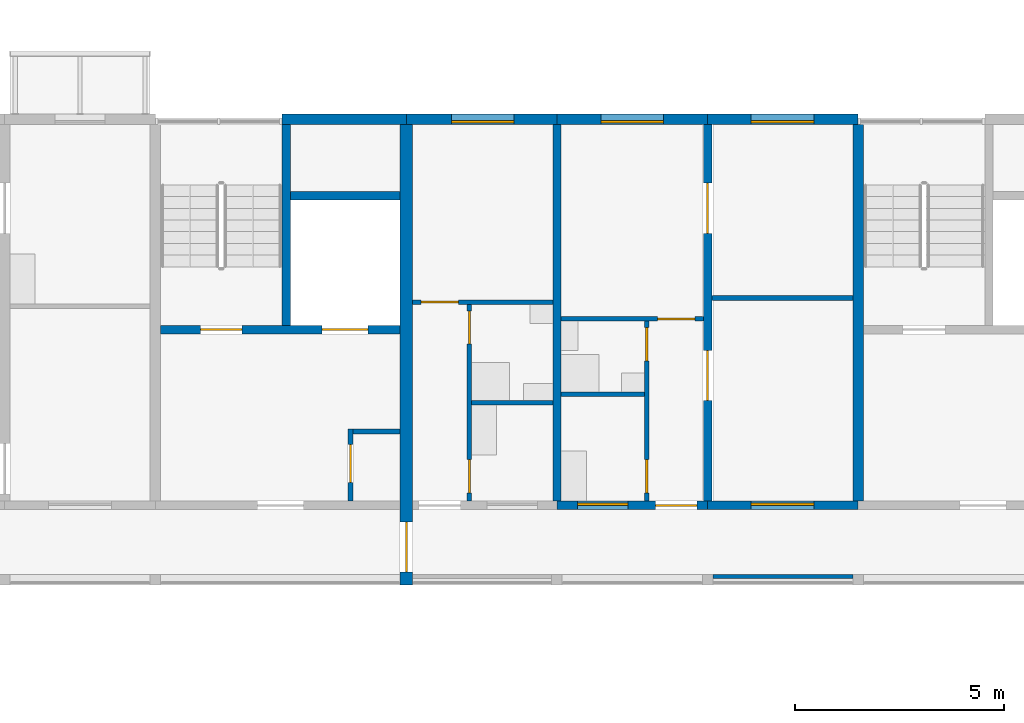
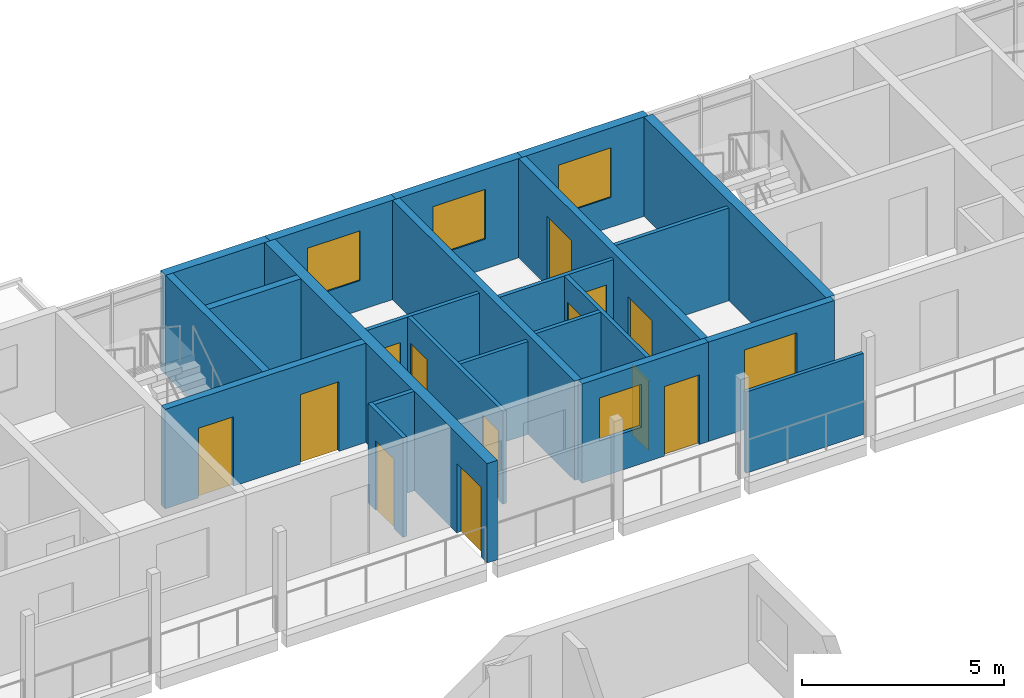
# One storey, part 76 of 122: 23 walls, 13 doors, 5 windows, 18 openings.
"""IFC4 building model written with IfcOpenShell, lengths in metres."""

import ifcopenshell
import ifcopenshell.guid

model = None  # the IFC model being written
_history = None  # IfcOwnerHistory: only IFC2X3 demands one
_inside = {}  # id of a spatial element -> (the spatial element, [elements in it])
_under = {}  # id of a project, library or spatial element -> (it, [spatial elements below it])
_declared = {}  # id of a project -> (the project, [libraries it declares])
_typed = {}  # id of a type object -> (the type object, [elements of that type])
_made_of = {}  # id of a material, layer set ... -> (it, [elements and type objects made of it])


def new_model(schema):
    """Start an empty IFC model of exactly this schema.

    Asked for "IFC4X3", IfcOpenShell would pick the latest addendum, in which some entities
    have other attributes; the version numbers below select the first issue.
    IFC2X3 requires an IfcOwnerHistory on every rooted entity: one is made here for all.
    """
    global model, _history
    if schema == "IFC4X3":
        model = ifcopenshell.file(schema_version=(4, 3, 0, 0))
    else:
        model = ifcopenshell.file(schema=schema)
    _inside.clear()
    _under.clear()
    _declared.clear()
    _typed.clear()
    _made_of.clear()
    _history = None
    if model.schema == "IFC2X3":
        org = make("IfcOrganization", Name="unknown")
        user = make(
            "IfcPersonAndOrganization",
            ThePerson=make("IfcPerson", FamilyName="unknown"),
            TheOrganization=org,
        )
        app = make(
            "IfcApplication",
            ApplicationDeveloper=org,
            Version="unknown",
            ApplicationFullName="unknown",
            ApplicationIdentifier="unknown",
        )
        _history = make(
            "IfcOwnerHistory",
            OwningUser=user,
            OwningApplication=app,
            ChangeAction="ADDED",
            CreationDate=0,
        )
    return model


def make(cls, **values):
    """One entity of the class cls with the attributes given. An attribute that is None is left unset."""
    return model.create_entity(
        cls, **{name: value for name, value in values.items() if value is not None}
    )


def rooted(cls, **values):
    """An entity with a GlobalId (a new one), such as an element, a storey or a relation."""
    return make(cls, GlobalId=ifcopenshell.guid.new(), OwnerHistory=_history, **values)


def si_unit(unit_type, name, prefix=None):
    """IfcSIUnit, for example si_unit("LENGTHUNIT", "METRE", prefix="MILLI")."""
    return make("IfcSIUnit", UnitType=unit_type, Prefix=prefix, Name=name)


def assignment(units):
    """IfcUnitAssignment: the units of a project."""
    return None if units is None else make("IfcUnitAssignment", Units=units)


def point(xyz):
    """IfcCartesianPoint."""
    return None if xyz is None else make("IfcCartesianPoint", Coordinates=xyz)


def direction(xyz):
    """IfcDirection."""
    return None if xyz is None else make("IfcDirection", DirectionRatios=xyz)


def frame(location, z_axis=None, x_axis=None):
    """IfcAxis2Placement3D, a coordinate frame: its origin and axes. An axis left out is left unset."""
    return make(
        "IfcAxis2Placement3D",
        Location=point(location),
        Axis=direction(z_axis),
        RefDirection=direction(x_axis),
    )


def frame_2d(location, x_axis=None):
    """IfcAxis2Placement2D, a coordinate frame in the plane: its origin and x axis."""
    return make(
        "IfcAxis2Placement2D", Location=point(location), RefDirection=direction(x_axis)
    )


def origin():
    """The frame at (0, 0, 0) with its axes left unset."""
    return frame((0.0, 0.0, 0.0))


def place(relative_to, where):
    """IfcLocalPlacement: puts the frame where relative to a parent placement (None: the world)."""
    return make(
        "IfcLocalPlacement", PlacementRelTo=relative_to, RelativePlacement=where
    )


def context(
    kind, dimensions, precision=None, world=None, true_north=None, identifier=None
):
    """IfcGeometricRepresentationContext, for example the 3D "Model" context."""
    return make(
        "IfcGeometricRepresentationContext",
        ContextIdentifier=identifier,
        ContextType=kind,
        CoordinateSpaceDimension=dimensions,
        Precision=precision,
        WorldCoordinateSystem=world,
        TrueNorth=true_north,
    )


def subcontext(parent, identifier, kind, view, scale=None):
    """IfcGeometricRepresentationSubContext, for example "Body" below "Model"."""
    return make(
        "IfcGeometricRepresentationSubContext",
        ContextIdentifier=identifier,
        ContextType=kind,
        ParentContext=parent,
        TargetScale=scale,
        TargetView=view,
    )


def project(units=None, contexts=None):
    """IfcProject with its units and contexts."""
    return rooted(
        "IfcProject",
        Name="project",
        RepresentationContexts=contexts,
        UnitsInContext=assignment(units),
    )


def spatial(cls, under=None, at=None, **own):
    """A site, building, storey or space (cls), placed at a placement, below another one or the project."""
    s = rooted(cls, ObjectPlacement=at, **own)
    if under is not None:
        _under.setdefault(under.id(), (under, []))[1].append(s)
    return s


def profile(cls, at=None, kind="AREA", **sizes):
    """A parametric profile (cls). Its sizes go by their IFC names, for example OverallWidth=200.0."""
    return make(cls, ProfileType=kind, Position=at, **sizes)


def rectangle(**sizes):
    """IfcRectangleProfileDef."""
    return profile("IfcRectangleProfileDef", **sizes)


def extrude(swept, where, along, depth):
    """IfcExtrudedAreaSolid: the profile swept, set in the frame where, extruded along a direction by depth."""
    return make(
        "IfcExtrudedAreaSolid",
        SweptArea=swept,
        Position=where,
        ExtrudedDirection=direction(along),
        Depth=depth,
    )


def shape(context_of_items, identifier, shape_type, items):
    """IfcShapeRepresentation: the items that make up one representation, for example the "Body"."""
    return make(
        "IfcShapeRepresentation",
        ContextOfItems=context_of_items,
        RepresentationIdentifier=identifier,
        RepresentationType=shape_type,
        Items=items,
    )


def material(Name=None, Category=None):
    """IfcMaterial."""
    return make("IfcMaterial", Name=Name, Category=Category)


def layer(
    of_material, thickness, ventilated=None, Name=None, Category=None, Priority=None
):
    """IfcMaterialLayer: one layer of a wall or slab, of a material (None: an air gap)."""
    return make(
        "IfcMaterialLayer",
        Material=of_material,
        LayerThickness=thickness,
        IsVentilated=ventilated,
        Name=Name,
        Category=Category,
        Priority=Priority,
    )


def layer_set(layers, Name=None):
    """IfcMaterialLayerSet."""
    return make("IfcMaterialLayerSet", MaterialLayers=layers, LayerSetName=Name)


def made_of(thing, what):
    """Note that an element or type object is made of a material, layer set ...; save() writes the relation."""
    if what is not None:
        _made_of.setdefault(what.id(), (what, []))[1].append(thing)
    return thing


def type_object(cls, material=None, **own):
    """A type object (cls), such as IfcWallType, which elements share."""
    return made_of(rooted(cls, **own), material)


def element(
    cls,
    number,
    at=None,
    inside=None,
    cuts=None,
    type_object=None,
    material=None,
    context=None,
    identifier="Body",
    shape_type=None,
    held_by="IfcProductDefinitionShape",
    body=None,
    shapes=None,
    **own,
):
    """One element of the class cls, such as IfcWall. Its Tag is "e" and its number.

    at: its placement. inside: the storey or other place that contains it. cuts: it is an
    opening in that element (IfcRelVoidsElement). A single representation is given by context,
    identifier, shape_type and body (its items); several are given by shapes. held_by: the class
    of the entity that holds the representations. save() writes the other relations.
    """
    e = rooted(cls, Tag="e%d" % number, ObjectPlacement=at, **own)
    if body is not None:
        shapes = [shape(context, identifier, shape_type, body)]
    if shapes is not None:
        e.Representation = make(held_by, Representations=shapes)
    if inside is not None:
        _inside.setdefault(inside.id(), (inside, []))[1].append(e)
    if cuts is not None:
        rooted(
            "IfcRelVoidsElement", RelatingBuildingElement=cuts, RelatedOpeningElement=e
        )
    if type_object is not None:
        _typed.setdefault(type_object.id(), (type_object, []))[1].append(e)
    return made_of(e, material)


def fill(opening, filler):
    """IfcRelFillsElement: the door or window that sits in an opening."""
    return rooted(
        "IfcRelFillsElement",
        RelatingOpeningElement=opening,
        RelatedBuildingElement=filler,
    )


def aggregate(whole, parts):
    """IfcRelAggregates: a whole, such as a stair, and the parts it consists of."""
    return rooted("IfcRelAggregates", RelatingObject=whole, RelatedObjects=parts)


def save(model, path):
    """Write the relations noted so far, then the file.

    IfcRelAggregates (storeys below a building ...), IfcRelContainedInSpatialStructure (elements
    in a storey), IfcRelDefinesByType, IfcRelAssociatesMaterial and IfcRelDeclares: one each for
    every whole, place, type object, material and project.
    """
    for whole, parts in _under.values():
        aggregate(whole, parts)
    for where, things in _inside.values():
        rooted(
            "IfcRelContainedInSpatialStructure",
            RelatedElements=things,
            RelatingStructure=where,
        )
    for kind, things in _typed.values():
        rooted("IfcRelDefinesByType", RelatedObjects=things, RelatingType=kind)
    for what, things in _made_of.values():
        rooted("IfcRelAssociatesMaterial", RelatedObjects=things, RelatingMaterial=what)
    for by, libraries in _declared.values():
        rooted("IfcRelDeclares", RelatingContext=by, RelatedDefinitions=libraries)
    model.write(path)


model = new_model("IFC4")

# Units and contexts
model_context = context("Model", 3, precision=1e-05, world=origin(), true_north=direction((0.0, 1.0)))
body_context = subcontext(model_context, "Body", "Model", "MODEL_VIEW")
ifc_project = project(units=[si_unit("LENGTHUNIT", "METRE"), si_unit("AREAUNIT", "SQUARE_METRE"), si_unit("VOLUMEUNIT", "CUBIC_METRE"), si_unit("PLANEANGLEUNIT", "RADIAN"), si_unit("MASSUNIT", "GRAM", prefix="KILO")], contexts=[model_context])

# Site, building, storey
site_placement = place(None, origin())
site = spatial("IfcSite", under=ifc_project, at=site_placement, CompositionType="ELEMENT")
building_placement = place(site_placement, origin())
building = spatial("IfcBuilding", under=site, at=building_placement, Name="Ridgestep Commons", CompositionType="ELEMENT")
storey_placement = place(building_placement, frame((0.0, 0.0, 3.0)))
storey = spatial("IfcBuildingStorey", under=building, at=storey_placement, Name="L01", CompositionType="ELEMENT", Elevation=3.0)

# Wall
ifc_material_1 = material(Name="Concrete C30/37", Category="concrete")
ifc_layer_1 = layer(ifc_material_1, 0.25)
ifc_layer_set_1 = layer_set([ifc_layer_1], Name="Core cross wall 250")
wall_type_1 = type_object("IfcWallType", Name="Core cross wall 250", PredefinedType="SHEAR", material=ifc_layer_set_1)
wall_1_placement = place(storey_placement, frame((174.39990234375, 68.0, 0.0), z_axis=(0.0, 0.0, 1.0), x_axis=(0.0, 1.0, 0.0)))
element("IfcWall", 1, at=wall_1_placement, inside=storey, type_object=wall_type_1, Name="Cross wall C-01-1744", PredefinedType="SHEAR", context=body_context, shape_type="SweptSolid", body=[
    extrude(rectangle(XDim=9.0, YDim=0.25, at=frame_2d((4.5, 0.0))), origin(), (0.0, 0.0, 1.0), 3.0),
])

# Wall, opening, door
ifc_material_2 = material(Name="Concrete C30/37", Category="concrete")
ifc_layer_2 = layer(ifc_material_2, 0.1201171875)
ifc_layer_set_2 = layer_set([ifc_layer_2], Name="Core wall 120")
wall_type_2 = type_object("IfcWallType", Name="Core wall 120", PredefinedType="SHEAR", material=ifc_layer_set_2)
wall_2_placement = place(storey_placement, frame((162.260009765625, 68.0, 0.0), z_axis=(0.0, 0.0, 1.0), x_axis=(0.0, 1.0, 0.0)))
wall_2 = element("IfcWall", 2, at=wall_2_placement, inside=storey, type_object=wall_type_2, Name="Core riser w wall C1C L01", PredefinedType="SHEAR", context=body_context, shape_type="SweptSolid", body=[
    extrude(rectangle(XDim=1.719970703125, YDim=0.1201171875, at=frame_2d((0.85986328125, 0.0))), origin(), (0.0, 0.0, 1.0), 3.0),
])
opening_1_placement = place(wall_2_placement, frame((0.449951171875, 0.0, 0.0)))
opening_1 = element("IfcOpeningElement", 3, at=opening_1_placement, cuts=wall_2, Name="Opening C1C/01/4", PredefinedType="OPENING", context=body_context, shape_type="SweptSolid", body=[
    extrude(rectangle(XDim=0.89990234375, YDim=2.10009765625, at=frame_2d((0.449951171875, 1.050048828125))), frame((0.0, 0.070068359375, 0.0), z_axis=(0.0, -1.0, 0.0), x_axis=(1.0, 0.0, 0.0)), (0.0, 0.0, 1.0), 0.14013671875),
])
ifc_material_3 = material(Name="Steel fire door", Category="steel")
door_type_1 = type_object("IfcDoorType", Name="Riser door 900 x 2100 FD60", OperationType="NOTDEFINED", PredefinedType="DOOR", material=ifc_material_3)
door_1_placement = place(opening_1_placement, origin())
door_1 = element("IfcDoor", 4, at=door_1_placement, inside=storey, type_object=door_type_1, Name="Riser door C1C/01/4", OperationType="SINGLE_SWING_LEFT", OverallHeight=2.10009765625, OverallWidth=0.89990234375, PredefinedType="DOOR", context=body_context, shape_type="SweptSolid", body=[
    extrude(rectangle(XDim=0.89990234375, YDim=2.10009765625, at=frame_2d((0.449951171875, 1.050048828125))), frame((0.0, 0.02490234375, 0.0), z_axis=(0.0, -1.0, 0.0), x_axis=(1.0, 0.0, 0.0)), (0.0, 0.0, 1.0), 0.050048828125),
])
fill(opening_1, door_1)

# Wall
wall_3_placement = place(storey_placement, frame((162.320068359375, 69.659912109375, 0.0), z_axis=(0.0, 0.0, 1.0), x_axis=(1.0, 0.0, 0.0)))
element("IfcWall", 5, at=wall_3_placement, inside=storey, type_object=wall_type_2, Name="Core riser n wall C1C L01", PredefinedType="SHEAR", context=body_context, shape_type="SweptSolid", body=[
    extrude(rectangle(XDim=1.1298828125, YDim=0.1201171875, at=frame_2d((0.56494140625, 0.0))), origin(), (0.0, 0.0, 1.0), 3.0),
])

# Wall, openings, doors
ifc_material_4 = material(Name="Concrete C30/37", Category="concrete")
ifc_layer_3 = layer(ifc_material_4, 0.199951171875)
ifc_layer_set_3 = layer_set([ifc_layer_3], Name="Core wall 200")
wall_type_3 = type_object("IfcWallType", Name="Core wall 200", PredefinedType="SHEAR", material=ifc_layer_set_3)
wall_4_placement = place(storey_placement, frame((157.72509765625, 72.10009765625, 0.0), z_axis=(0.0, 0.0, 1.0), x_axis=(1.0, 0.0, 0.0)))
wall_4 = element("IfcWall", 6, at=wall_4_placement, inside=storey, type_object=wall_type_3, Name="Core lobby wall C1C L01", PredefinedType="SHEAR", context=body_context, shape_type="SweptSolid", body=[
    extrude(rectangle(XDim=5.724853515625, YDim=0.199951171875, at=frame_2d((2.8623046875, 0.0))), origin(), (0.0, 0.0, 1.0), 3.0),
])
opening_2_placement = place(wall_4_placement, frame((0.949951171875, 0.0, 0.0)))
opening_2 = element("IfcOpeningElement", 7, at=opening_2_placement, cuts=wall_4, Name="Opening C1C/01/2", PredefinedType="OPENING", context=body_context, shape_type="SweptSolid", body=[
    extrude(rectangle(XDim=1.0, YDim=2.10009765625, at=frame_2d((0.5, 1.050048828125))), frame((0.0, 0.10986328125, 0.0), z_axis=(0.0, -1.0, 0.0), x_axis=(1.0, 0.0, 0.0)), (0.0, 0.0, 1.0), 0.219970703125),
])
opening_3_placement = place(wall_4_placement, frame((3.862548828125, 0.0, 0.0)))
opening_3 = element("IfcOpeningElement", 8, at=opening_3_placement, cuts=wall_4, Name="Opening C1C/01/3", PredefinedType="OPENING", context=body_context, shape_type="SweptSolid", body=[
    extrude(rectangle(XDim=1.10009765625, YDim=2.10009765625, at=frame_2d((0.550048828125, 1.050048828125))), frame((0.0, 0.10986328125, 0.0), z_axis=(0.0, -1.0, 0.0), x_axis=(1.0, 0.0, 0.0)), (0.0, 0.0, 1.0), 0.219970703125),
])
ifc_material_5 = material(Name="Stainless steel", Category="steel")
door_type_2 = type_object("IfcDoorType", Name="Lift landing door 1100 x 2100 FD60", OperationType="DOUBLE_DOOR_SLIDING", PredefinedType="DOOR", material=ifc_material_5)
door_2_placement = place(opening_3_placement, origin())
door_2 = element("IfcDoor", 9, at=door_2_placement, inside=storey, type_object=door_type_2, Name="Landing door LD C1C L01", OperationType="DOUBLE_DOOR_SLIDING", OverallHeight=2.10009765625, OverallWidth=1.10009765625, PredefinedType="DOOR", context=body_context, shape_type="SweptSolid", body=[
    extrude(rectangle(XDim=1.10009765625, YDim=2.10009765625, at=frame_2d((0.550048828125, 1.050048828125))), frame((0.0, 0.02490234375, 0.0), z_axis=(0.0, -1.0, 0.0), x_axis=(1.0, 0.0, 0.0)), (0.0, 0.0, 1.0), 0.050048828125),
])
fill(opening_3, door_2)
ifc_material_6 = material(Name="Steel fire door", Category="steel")
door_type_3 = type_object("IfcDoorType", Name="Stair door 1000 x 2100 FD60", OperationType="NOTDEFINED", PredefinedType="DOOR", material=ifc_material_6)
door_3_placement = place(opening_2_placement, origin())
door_3 = element("IfcDoor", 10, at=door_3_placement, inside=storey, type_object=door_type_3, Name="Stair door C1C/01/2", OperationType="SINGLE_SWING_RIGHT", OverallHeight=2.10009765625, OverallWidth=1.0, PredefinedType="DOOR", context=body_context, shape_type="SweptSolid", body=[
    extrude(rectangle(XDim=1.0, YDim=2.10009765625, at=frame_2d((0.5, 1.050048828125))), frame((0.0, 0.02490234375, 0.0), z_axis=(0.0, -1.0, 0.0), x_axis=(1.0, 0.0, 0.0)), (0.0, 0.0, 1.0), 0.050048828125),
])
fill(opening_2, door_3)

# Walls
wall_5_placement = place(storey_placement, frame((160.72509765625, 72.199951171875, 0.0), z_axis=(0.0, 0.0, 1.0), x_axis=(0.0, 1.0, 0.0)))
element("IfcWall", 11, at=wall_5_placement, inside=storey, type_object=wall_type_3, Name="Core stair wall C1C L01", PredefinedType="SHEAR", context=body_context, shape_type="SweptSolid", body=[
    extrude(rectangle(XDim=4.800048828125, YDim=0.199951171875, at=frame_2d((2.39990234375, 0.0))), origin(), (0.0, 0.0, 1.0), 3.0),
])
wall_6_placement = place(storey_placement, frame((160.824951171875, 75.300048828125, 0.0), z_axis=(0.0, 0.0, 1.0), x_axis=(1.0, 0.0, 0.0)))
element("IfcWall", 12, at=wall_6_placement, inside=storey, type_object=wall_type_3, Name="Core duct wall C1C L01", PredefinedType="SHEAR", context=body_context, shape_type="SweptSolid", body=[
    extrude(rectangle(XDim=2.625, YDim=0.199951171875, at=frame_2d((1.3125, 0.0))), origin(), (0.0, 0.0, 1.0), 3.0),
])
ifc_material_7 = material(Name="Precast concrete C40/50", Category="concrete")
ifc_layer_4 = layer(ifc_material_7, 0.199951171875)
ifc_layer_set_4 = layer_set([ifc_layer_4], Name="Cross wall 200")
wall_type_4 = type_object("IfcWallType", Name="Cross wall 200", PredefinedType="SHEAR", material=ifc_layer_set_4)
wall_7_placement = place(storey_placement, frame((167.199951171875, 68.0, 0.0), z_axis=(0.0, 0.0, 1.0), x_axis=(0.0, 1.0, 0.0)))
element("IfcWall", 13, at=wall_7_placement, inside=storey, type_object=wall_type_4, Name="Cross wall C-01-1672", PredefinedType="SHEAR", context=body_context, shape_type="SweptSolid", body=[
    extrude(rectangle(XDim=9.0, YDim=0.199951171875, at=frame_2d((4.5, 0.0))), origin(), (0.0, 0.0, 1.0), 3.0),
])

# Wall, openings, doors
wall_8_placement = place(storey_placement, frame((170.800048828125, 68.0, 0.0), z_axis=(0.0, 0.0, 1.0), x_axis=(0.0, 1.0, 0.0)))
wall_8 = element("IfcWall", 14, at=wall_8_placement, inside=storey, type_object=wall_type_4, Name="Cross wall C-01-1708", PredefinedType="SHEAR", context=body_context, shape_type="SweptSolid", body=[
    extrude(rectangle(XDim=9.0, YDim=0.199951171875, at=frame_2d((4.5, 0.0))), origin(), (0.0, 0.0, 1.0), 3.0),
])
opening_4_placement = place(wall_8_placement, frame((2.39990234375, 0.0, 0.0)))
opening_4 = element("IfcOpeningElement", 15, at=opening_4_placement, cuts=wall_8, Name="Opening C2-01b/5", PredefinedType="OPENING", context=body_context, shape_type="SweptSolid", body=[
    extrude(rectangle(XDim=1.199951171875, YDim=2.10009765625, at=frame_2d((0.60009765625, 1.050048828125))), frame((0.0, 0.10986328125, 0.0), z_axis=(0.0, -1.0, 0.0), x_axis=(1.0, 0.0, 0.0)), (0.0, 0.0, 1.0), 0.219970703125),
])
opening_5_placement = place(wall_8_placement, frame((6.39990234375, 0.0, 0.0)))
opening_5 = element("IfcOpeningElement", 16, at=opening_5_placement, cuts=wall_8, Name="Opening C2-01b/6", PredefinedType="OPENING", context=body_context, shape_type="SweptSolid", body=[
    extrude(rectangle(XDim=1.199951171875, YDim=2.10009765625, at=frame_2d((0.60009765625, 1.050048828125))), frame((0.0, 0.10986328125, 0.0), z_axis=(0.0, -1.0, 0.0), x_axis=(1.0, 0.0, 0.0)), (0.0, 0.0, 1.0), 0.219970703125),
])
ifc_material_8 = material(Name="Timber door leaf", Category="wood")
door_type_4 = type_object("IfcDoorType", Name="Double door 1200 x 2100", OperationType="DOUBLE_DOOR_SINGLE_SWING", PredefinedType="DOOR", material=ifc_material_8)
door_4_placement = place(opening_4_placement, origin())
door_4 = element("IfcDoor", 17, at=door_4_placement, inside=storey, type_object=door_type_4, Name="Double door C2-01b/5", OperationType="DOUBLE_DOOR_SINGLE_SWING", OverallHeight=2.10009765625, OverallWidth=1.199951171875, PredefinedType="DOOR", context=body_context, shape_type="SweptSolid", body=[
    extrude(rectangle(XDim=1.199951171875, YDim=2.10009765625, at=frame_2d((0.60009765625, 1.050048828125))), frame((0.0, 0.02490234375, 0.0), z_axis=(0.0, -1.0, 0.0), x_axis=(1.0, 0.0, 0.0)), (0.0, 0.0, 1.0), 0.050048828125),
])
fill(opening_4, door_4)
door_5_placement = place(opening_5_placement, origin())
door_5 = element("IfcDoor", 18, at=door_5_placement, inside=storey, type_object=door_type_4, Name="Double door C2-01b/6", OperationType="DOUBLE_DOOR_SINGLE_SWING", OverallHeight=2.10009765625, OverallWidth=1.199951171875, PredefinedType="DOOR", context=body_context, shape_type="SweptSolid", body=[
    extrude(rectangle(XDim=1.199951171875, YDim=2.10009765625, at=frame_2d((0.60009765625, 1.050048828125))), frame((0.0, 0.02490234375, 0.0), z_axis=(0.0, -1.0, 0.0), x_axis=(1.0, 0.0, 0.0)), (0.0, 0.0, 1.0), 0.050048828125),
])
fill(opening_5, door_5)

# Wall, opening, door
ifc_material_9 = material(Name="Precast concrete C40/50", Category="concrete")
ifc_layer_5 = layer(ifc_material_9, 0.300048828125)
ifc_layer_set_5 = layer_set([ifc_layer_5], Name="Division wall 300")
wall_type_5 = type_object("IfcWallType", Name="Division wall 300", PredefinedType="SHEAR", material=ifc_layer_set_5)
wall_9_placement = place(storey_placement, frame((163.60009765625, 66.0, 0.0), z_axis=(0.0, 0.0, 1.0), x_axis=(0.0, 1.0, 0.0)))
wall_9 = element("IfcWall", 19, at=wall_9_placement, inside=storey, type_object=wall_type_5, Name="Cross wall C-01-1636", PredefinedType="SHEAR", context=body_context, shape_type="SweptSolid", body=[
    extrude(rectangle(XDim=11.0, YDim=0.300048828125, at=frame_2d((5.5, 0.0))), origin(), (0.0, 0.0, 1.0), 3.0),
])
opening_6_placement = place(wall_9_placement, frame((0.300048828125, 0.0, 0.0)))
opening_6 = element("IfcOpeningElement", 20, at=opening_6_placement, cuts=wall_9, Name="Opening C/01/G1636", PredefinedType="OPENING", context=body_context, shape_type="SweptSolid", body=[
    extrude(rectangle(XDim=1.199951171875, YDim=2.10009765625, at=frame_2d((0.60009765625, 1.050048828125))), frame((0.0, 0.159912109375, 0.0), z_axis=(0.0, -1.0, 0.0), x_axis=(1.0, 0.0, 0.0)), (0.0, 0.0, 1.0), 0.320068359375),
])
ifc_material_10 = material(Name="Steel fire door", Category="steel")
door_type_5 = type_object("IfcDoorType", Name="Division fire door 1200 x 2100 EI 240", OperationType="DOUBLE_DOOR_SINGLE_SWING", PredefinedType="DOOR", material=ifc_material_10)
door_6_placement = place(opening_6_placement, origin())
door_6 = element("IfcDoor", 21, at=door_6_placement, inside=storey, type_object=door_type_5, Name="Division fire door C/01/G1636", OperationType="DOUBLE_DOOR_SINGLE_SWING", OverallHeight=2.10009765625, OverallWidth=1.199951171875, PredefinedType="DOOR", context=body_context, shape_type="SweptSolid", body=[
    extrude(rectangle(XDim=1.199951171875, YDim=2.10009765625, at=frame_2d((0.60009765625, 1.050048828125))), frame((0.0, 0.02490234375, 0.0), z_axis=(0.0, -1.0, 0.0), x_axis=(1.0, 0.0, 0.0)), (0.0, 0.0, 1.0), 0.050048828125),
])
fill(opening_6, door_6)

# Wall
ifc_material_11 = material(Name="Precast concrete C40/50", Category="concrete")
ifc_layer_6 = layer(ifc_material_11, 0.25)
ifc_layer_set_6 = layer_set([ifc_layer_6], Name="North facade panel 250")
wall_type_6 = type_object("IfcWallType", Name="North facade panel 250", PredefinedType="SOLIDWALL", material=ifc_layer_set_6)
wall_10_placement = place(storey_placement, frame((160.625, 77.125, 0.0), z_axis=(0.0, 0.0, 1.0), x_axis=(1.0, 0.0, 0.0)))
element("IfcWall", 22, at=wall_10_placement, inside=storey, type_object=wall_type_6, Name="North panel C1C L01", PredefinedType="SOLIDWALL", context=body_context, shape_type="SweptSolid", body=[
    extrude(rectangle(XDim=2.97509765625, YDim=0.25, at=frame_2d((1.487548828125, 0.0))), origin(), (0.0, 0.0, 1.0), 3.0),
])

# Wall, opening, window
wall_11_placement = place(storey_placement, frame((163.60009765625, 77.125, 0.0), z_axis=(0.0, 0.0, 1.0), x_axis=(1.0, 0.0, 0.0)))
wall_11 = element("IfcWall", 23, at=wall_11_placement, inside=storey, type_object=wall_type_6, Name="North panel C2T1 L01", PredefinedType="SOLIDWALL", context=body_context, shape_type="SweptSolid", body=[
    extrude(rectangle(XDim=3.599853515625, YDim=0.25, at=frame_2d((1.7998046875, 0.0))), origin(), (0.0, 0.0, 1.0), 3.0),
])
opening_7_placement = place(wall_11_placement, frame((1.074951171875, 0.0, 0.89990234375)))
opening_7 = element("IfcOpeningElement", 24, at=opening_7_placement, cuts=wall_11, Name="Opening W16", PredefinedType="OPENING", context=body_context, shape_type="SweptSolid", body=[
    extrude(rectangle(XDim=1.5, YDim=1.5, at=frame_2d((0.75, 0.75))), frame((0.0, 0.135009765625, 0.0), z_axis=(0.0, -1.0, 0.0), x_axis=(1.0, 0.0, 0.0)), (0.0, 0.0, 1.0), 0.27001953125),
])
ifc_material_12 = material(Name="Aluminium 6063-T6 and glass", Category="aluminium")
window_type_1 = type_object("IfcWindowType", Name="Flat window 1500 x 1500", PartitioningType="DOUBLE_PANEL_VERTICAL", PredefinedType="WINDOW", material=ifc_material_12)
window_1_placement = place(opening_7_placement, origin())
window_1 = element("IfcWindow", 25, at=window_1_placement, inside=storey, type_object=window_type_1, Name="Window C2-01a 2", OverallHeight=1.5, OverallWidth=1.5, PartitioningType="SINGLE_PANEL", PredefinedType="WINDOW", context=body_context, shape_type="SweptSolid", body=[
    extrude(rectangle(XDim=1.5, YDim=1.5, at=frame_2d((0.75, 0.75))), frame((0.0, -0.02490234375, 0.0), z_axis=(0.0, -1.0, 0.0), x_axis=(1.0, 0.0, 0.0)), (0.0, 0.0, 1.0), 0.06005859375),
])
fill(opening_7, window_1)

wall_12_placement = place(storey_placement, frame((167.199951171875, 77.125, 0.0), z_axis=(0.0, 0.0, 1.0), x_axis=(1.0, 0.0, 0.0)))
wall_12 = element("IfcWall", 26, at=wall_12_placement, inside=storey, type_object=wall_type_6, Name="North panel C2T2 L01", PredefinedType="SOLIDWALL", context=body_context, shape_type="SweptSolid", body=[
    extrude(rectangle(XDim=3.60009765625, YDim=0.25, at=frame_2d((1.800048828125, 0.0))), origin(), (0.0, 0.0, 1.0), 3.0),
])
opening_8_placement = place(wall_12_placement, frame((1.050048828125, 0.0, 0.89990234375)))
opening_8 = element("IfcOpeningElement", 27, at=opening_8_placement, cuts=wall_12, Name="Opening W16", PredefinedType="OPENING", context=body_context, shape_type="SweptSolid", body=[
    extrude(rectangle(XDim=1.5, YDim=1.5, at=frame_2d((0.75, 0.75))), frame((0.0, 0.135009765625, 0.0), z_axis=(0.0, -1.0, 0.0), x_axis=(1.0, 0.0, 0.0)), (0.0, 0.0, 1.0), 0.27001953125),
])
window_2_placement = place(opening_8_placement, origin())
window_2 = element("IfcWindow", 28, at=window_2_placement, inside=storey, type_object=window_type_1, Name="Window C2-01b 4", OverallHeight=1.5, OverallWidth=1.5, PartitioningType="SINGLE_PANEL", PredefinedType="WINDOW", context=body_context, shape_type="SweptSolid", body=[
    extrude(rectangle(XDim=1.5, YDim=1.5, at=frame_2d((0.75, 0.75))), frame((0.0, -0.02490234375, 0.0), z_axis=(0.0, -1.0, 0.0), x_axis=(1.0, 0.0, 0.0)), (0.0, 0.0, 1.0), 0.06005859375),
])
fill(opening_8, window_2)

wall_13_placement = place(storey_placement, frame((170.800048828125, 77.125, 0.0), z_axis=(0.0, 0.0, 1.0), x_axis=(1.0, 0.0, 0.0)))
wall_13 = element("IfcWall", 29, at=wall_13_placement, inside=storey, type_object=wall_type_6, Name="North panel C2T3 L01", PredefinedType="SOLIDWALL", context=body_context, shape_type="SweptSolid", body=[
    extrude(rectangle(XDim=3.599853515625, YDim=0.25, at=frame_2d((1.7998046875, 0.0))), origin(), (0.0, 0.0, 1.0), 3.0),
])
opening_9_placement = place(wall_13_placement, frame((1.03759765625, 0.0, 0.89990234375)))
opening_9 = element("IfcOpeningElement", 30, at=opening_9_placement, cuts=wall_13, Name="Opening W16", PredefinedType="OPENING", context=body_context, shape_type="SweptSolid", body=[
    extrude(rectangle(XDim=1.5, YDim=1.5, at=frame_2d((0.75, 0.75))), frame((0.0, 0.135009765625, 0.0), z_axis=(0.0, -1.0, 0.0), x_axis=(1.0, 0.0, 0.0)), (0.0, 0.0, 1.0), 0.27001953125),
])
window_3_placement = place(opening_9_placement, origin())
window_3 = element("IfcWindow", 31, at=window_3_placement, inside=storey, type_object=window_type_1, Name="Window C2-01b 2", OverallHeight=1.5, OverallWidth=1.5, PartitioningType="SINGLE_PANEL", PredefinedType="WINDOW", context=body_context, shape_type="SweptSolid", body=[
    extrude(rectangle(XDim=1.5, YDim=1.5, at=frame_2d((0.75, 0.75))), frame((0.0, -0.02490234375, 0.0), z_axis=(0.0, -1.0, 0.0), x_axis=(1.0, 0.0, 0.0)), (0.0, 0.0, 1.0), 0.06005859375),
])
fill(opening_9, window_3)

# Wall, openings, doors
ifc_material_13 = material(Name="Common brick 110 mm", Category="masonry")
ifc_layer_7 = layer(ifc_material_13, 0.110107421875)
ifc_layer_set_7 = layer_set([ifc_layer_7], Name="Partition 110")
wall_type_7 = type_object("IfcWallType", Name="Partition 110", PredefinedType="PARTITIONING", material=ifc_layer_set_7)
wall_14_placement = place(storey_placement, frame((165.10498046875, 68.0, 0.0), z_axis=(0.0, 0.0, 1.0), x_axis=(0.0, 1.0, 0.0)))
wall_14 = element("IfcWall", 32, at=wall_14_placement, inside=storey, type_object=wall_type_7, Name="Partition C2-01a", PredefinedType="PARTITIONING", context=body_context, shape_type="SweptSolid", body=[
    extrude(rectangle(XDim=4.699951171875, YDim=0.110107421875, at=frame_2d((2.35009765625, 0.0))), origin(), (0.0, 0.0, 1.0), 2.800048828125),
])
opening_10_placement = place(wall_14_placement, frame((0.199951171875, 0.0, 0.0)))
opening_10 = element("IfcOpeningElement", 33, at=opening_10_placement, cuts=wall_14, Name="Opening C2-01a/2", PredefinedType="OPENING", context=body_context, shape_type="SweptSolid", body=[
    extrude(rectangle(XDim=0.800048828125, YDim=2.10009765625, at=frame_2d((0.39990234375, 1.050048828125))), frame((0.0, 0.06494140625, 0.0), z_axis=(0.0, -1.0, 0.0), x_axis=(1.0, 0.0, 0.0)), (0.0, 0.0, 1.0), 0.130126953125),
])
opening_11_placement = place(wall_14_placement, frame((3.75, 0.0, 0.0)))
opening_11 = element("IfcOpeningElement", 34, at=opening_11_placement, cuts=wall_14, Name="Opening C2-01a/3", PredefinedType="OPENING", context=body_context, shape_type="SweptSolid", body=[
    extrude(rectangle(XDim=0.800048828125, YDim=2.10009765625, at=frame_2d((0.39990234375, 1.050048828125))), frame((0.0, 0.06494140625, 0.0), z_axis=(0.0, -1.0, 0.0), x_axis=(1.0, 0.0, 0.0)), (0.0, 0.0, 1.0), 0.130126953125),
])
ifc_material_14 = material(Name="Timber door leaf", Category="wood")
door_type_6 = type_object("IfcDoorType", Name="Internal door 800 x 2100", OperationType="NOTDEFINED", PredefinedType="DOOR", material=ifc_material_14)
door_7_placement = place(opening_10_placement, origin())
door_7 = element("IfcDoor", 35, at=door_7_placement, inside=storey, type_object=door_type_6, Name="Internal door C2-01a/2", OperationType="SINGLE_SWING_RIGHT", OverallHeight=2.10009765625, OverallWidth=0.800048828125, PredefinedType="DOOR", context=body_context, shape_type="SweptSolid", body=[
    extrude(rectangle(XDim=0.800048828125, YDim=2.10009765625, at=frame_2d((0.39990234375, 1.050048828125))), frame((0.0, 0.02490234375, 0.0), z_axis=(0.0, -1.0, 0.0), x_axis=(1.0, 0.0, 0.0)), (0.0, 0.0, 1.0), 0.050048828125),
])
fill(opening_10, door_7)
door_8_placement = place(opening_11_placement, origin())
door_8 = element("IfcDoor", 36, at=door_8_placement, inside=storey, type_object=door_type_6, Name="Internal door C2-01a/3", OperationType="SINGLE_SWING_LEFT", OverallHeight=2.10009765625, OverallWidth=0.800048828125, PredefinedType="DOOR", context=body_context, shape_type="SweptSolid", body=[
    extrude(rectangle(XDim=0.800048828125, YDim=2.10009765625, at=frame_2d((0.39990234375, 1.050048828125))), frame((0.0, 0.02490234375, 0.0), z_axis=(0.0, -1.0, 0.0), x_axis=(1.0, 0.0, 0.0)), (0.0, 0.0, 1.0), 0.050048828125),
])
fill(opening_11, door_8)

# Wall
wall_15_placement = place(storey_placement, frame((165.159912109375, 70.35498046875, 0.0), z_axis=(0.0, 0.0, 1.0), x_axis=(1.0, 0.0, 0.0)))
element("IfcWall", 37, at=wall_15_placement, inside=storey, type_object=wall_type_7, Name="Partition C2-01a", PredefinedType="PARTITIONING", context=body_context, shape_type="SweptSolid", body=[
    extrude(rectangle(XDim=1.940185546875, YDim=0.110107421875, at=frame_2d((0.97021484375, 0.0))), origin(), (0.0, 0.0, 1.0), 2.800048828125),
])

# Wall, opening, door
wall_16_placement = place(storey_placement, frame((163.75, 72.7548828125, 0.0), z_axis=(0.0, 0.0, 1.0), x_axis=(1.0, 0.0, 0.0)))
wall_16 = element("IfcWall", 38, at=wall_16_placement, inside=storey, type_object=wall_type_7, Name="Partition C2-01a", PredefinedType="PARTITIONING", context=body_context, shape_type="SweptSolid", body=[
    extrude(rectangle(XDim=3.35009765625, YDim=0.110107421875, at=frame_2d((1.675048828125, 0.0))), origin(), (0.0, 0.0, 1.0), 2.800048828125),
])
opening_12_placement = place(wall_16_placement, frame((0.199951171875, 0.0, 0.0)))
opening_12 = element("IfcOpeningElement", 39, at=opening_12_placement, cuts=wall_16, Name="Opening C2-01a/4", PredefinedType="OPENING", context=body_context, shape_type="SweptSolid", body=[
    extrude(rectangle(XDim=0.89990234375, YDim=2.10009765625, at=frame_2d((0.449951171875, 1.050048828125))), frame((0.0, 0.06494140625, 0.0), z_axis=(0.0, -1.0, 0.0), x_axis=(1.0, 0.0, 0.0)), (0.0, 0.0, 1.0), 0.130126953125),
])
ifc_material_15 = material(Name="Timber door leaf", Category="wood")
door_type_7 = type_object("IfcDoorType", Name="Internal door 900 x 2100", OperationType="NOTDEFINED", PredefinedType="DOOR", material=ifc_material_15)
door_9_placement = place(opening_12_placement, origin())
door_9 = element("IfcDoor", 40, at=door_9_placement, inside=storey, type_object=door_type_7, Name="Internal door C2-01a/4", OperationType="SINGLE_SWING_LEFT", OverallHeight=2.10009765625, OverallWidth=0.89990234375, PredefinedType="DOOR", context=body_context, shape_type="SweptSolid", body=[
    extrude(rectangle(XDim=0.89990234375, YDim=2.10009765625, at=frame_2d((0.449951171875, 1.050048828125))), frame((0.0, 0.02490234375, 0.0), z_axis=(0.0, -1.0, 0.0), x_axis=(1.0, 0.0, 0.0)), (0.0, 0.0, 1.0), 0.050048828125),
])
fill(opening_12, door_9)

# Wall
wall_17_placement = place(storey_placement, frame((167.300048828125, 70.554931640625, 0.0), z_axis=(0.0, 0.0, 1.0), x_axis=(1.0, 0.0, 0.0)))
element("IfcWall", 41, at=wall_17_placement, inside=storey, type_object=wall_type_7, Name="Partition C2-01b", PredefinedType="PARTITIONING", context=body_context, shape_type="SweptSolid", body=[
    extrude(rectangle(XDim=1.989990234375, YDim=0.110107421875, at=frame_2d((0.9951171875, 0.0))), origin(), (0.0, 0.0, 1.0), 2.800048828125),
])

# Wall, openings, doors
wall_18_placement = place(storey_placement, frame((169.344970703125, 68.0, 0.0), z_axis=(0.0, 0.0, 1.0), x_axis=(0.0, 1.0, 0.0)))
wall_18 = element("IfcWall", 42, at=wall_18_placement, inside=storey, type_object=wall_type_7, Name="Partition C2-01b", PredefinedType="PARTITIONING", context=body_context, shape_type="SweptSolid", body=[
    extrude(rectangle(XDim=4.300048828125, YDim=0.110107421875, at=frame_2d((2.14990234375, 0.0))), origin(), (0.0, 0.0, 1.0), 2.800048828125),
])
opening_13_placement = place(wall_18_placement, frame((0.199951171875, 0.0, 0.0)))
opening_13 = element("IfcOpeningElement", 43, at=opening_13_placement, cuts=wall_18, Name="Opening C2-01b/2", PredefinedType="OPENING", context=body_context, shape_type="SweptSolid", body=[
    extrude(rectangle(XDim=0.800048828125, YDim=2.10009765625, at=frame_2d((0.39990234375, 1.050048828125))), frame((0.0, 0.06494140625, 0.0), z_axis=(0.0, -1.0, 0.0), x_axis=(1.0, 0.0, 0.0)), (0.0, 0.0, 1.0), 0.130126953125),
])
opening_14_placement = place(wall_18_placement, frame((3.35009765625, 0.0, 0.0)))
opening_14 = element("IfcOpeningElement", 44, at=opening_14_placement, cuts=wall_18, Name="Opening C2-01b/3", PredefinedType="OPENING", context=body_context, shape_type="SweptSolid", body=[
    extrude(rectangle(XDim=0.800048828125, YDim=2.10009765625, at=frame_2d((0.39990234375, 1.050048828125))), frame((0.0, 0.06494140625, 0.0), z_axis=(0.0, -1.0, 0.0), x_axis=(1.0, 0.0, 0.0)), (0.0, 0.0, 1.0), 0.130126953125),
])
door_10_placement = place(opening_13_placement, origin())
door_10 = element("IfcDoor", 45, at=door_10_placement, inside=storey, type_object=door_type_6, Name="Internal door C2-01b/2", OperationType="SINGLE_SWING_LEFT", OverallHeight=2.10009765625, OverallWidth=0.800048828125, PredefinedType="DOOR", context=body_context, shape_type="SweptSolid", body=[
    extrude(rectangle(XDim=0.800048828125, YDim=2.10009765625, at=frame_2d((0.39990234375, 1.050048828125))), frame((0.0, 0.02490234375, 0.0), z_axis=(0.0, -1.0, 0.0), x_axis=(1.0, 0.0, 0.0)), (0.0, 0.0, 1.0), 0.050048828125),
])
fill(opening_13, door_10)
door_11_placement = place(opening_14_placement, origin())
door_11 = element("IfcDoor", 46, at=door_11_placement, inside=storey, type_object=door_type_6, Name="Internal door C2-01b/3", OperationType="SINGLE_SWING_RIGHT", OverallHeight=2.10009765625, OverallWidth=0.800048828125, PredefinedType="DOOR", context=body_context, shape_type="SweptSolid", body=[
    extrude(rectangle(XDim=0.800048828125, YDim=2.10009765625, at=frame_2d((0.39990234375, 1.050048828125))), frame((0.0, 0.02490234375, 0.0), z_axis=(0.0, -1.0, 0.0), x_axis=(1.0, 0.0, 0.0)), (0.0, 0.0, 1.0), 0.050048828125),
])
fill(opening_14, door_11)

# Wall, opening, door
wall_19_placement = place(storey_placement, frame((167.300048828125, 72.35498046875, 0.0), z_axis=(0.0, 0.0, 1.0), x_axis=(1.0, 0.0, 0.0)))
wall_19 = element("IfcWall", 47, at=wall_19_placement, inside=storey, type_object=wall_type_7, Name="Partition C2-01b", PredefinedType="PARTITIONING", context=body_context, shape_type="SweptSolid", body=[
    extrude(rectangle(XDim=3.39990234375, YDim=0.110107421875, at=frame_2d((1.699951171875, 0.0))), origin(), (0.0, 0.0, 1.0), 2.800048828125),
])
opening_15_placement = place(wall_19_placement, frame((2.300048828125, 0.0, 0.0)))
opening_15 = element("IfcOpeningElement", 48, at=opening_15_placement, cuts=wall_19, Name="Opening C2-01b/4", PredefinedType="OPENING", context=body_context, shape_type="SweptSolid", body=[
    extrude(rectangle(XDim=0.89990234375, YDim=2.10009765625, at=frame_2d((0.449951171875, 1.050048828125))), frame((0.0, 0.06494140625, 0.0), z_axis=(0.0, -1.0, 0.0), x_axis=(1.0, 0.0, 0.0)), (0.0, 0.0, 1.0), 0.130126953125),
])
door_12_placement = place(opening_15_placement, origin())
door_12 = element("IfcDoor", 49, at=door_12_placement, inside=storey, type_object=door_type_7, Name="Internal door C2-01b/4", OperationType="SINGLE_SWING_LEFT", OverallHeight=2.10009765625, OverallWidth=0.89990234375, PredefinedType="DOOR", context=body_context, shape_type="SweptSolid", body=[
    extrude(rectangle(XDim=0.89990234375, YDim=2.10009765625, at=frame_2d((0.449951171875, 1.050048828125))), frame((0.0, 0.02490234375, 0.0), z_axis=(0.0, -1.0, 0.0), x_axis=(1.0, 0.0, 0.0)), (0.0, 0.0, 1.0), 0.050048828125),
])
fill(opening_15, door_12)

# Walls
wall_20_placement = place(storey_placement, frame((170.89990234375, 72.85498046875, 0.0), z_axis=(0.0, 0.0, 1.0), x_axis=(1.0, 0.0, 0.0)))
element("IfcWall", 50, at=wall_20_placement, inside=storey, type_object=wall_type_7, Name="Partition C2-01b", PredefinedType="PARTITIONING", context=body_context, shape_type="SweptSolid", body=[
    extrude(rectangle(XDim=3.375, YDim=0.110107421875, at=frame_2d((1.6875, 0.0))), origin(), (0.0, 0.0, 1.0), 2.800048828125),
])
ifc_material_16 = material(Name="Precast concrete C30/37", Category="concrete")
ifc_layer_8 = layer(ifc_material_16, 0.10009765625)
ifc_layer_set_8 = layer_set([ifc_layer_8], Name="Perforated gallery screen 3350 x 2450 x 100")
wall_type_8 = type_object("IfcWallType", Name="Perforated gallery screen 3350 x 2450 x 100", PredefinedType="SOLIDWALL", material=ifc_layer_set_8)
wall_21_placement = place(storey_placement, frame((170.925048828125, 66.199951171875, 0.0), z_axis=(0.0, 0.0, 1.0), x_axis=(1.0, 0.0, 0.0)))
element("IfcWall", 51, at=wall_21_placement, inside=storey, type_object=wall_type_8, Name="Gallery screen C2T3 01", PredefinedType="SOLIDWALL", context=body_context, shape_type="SweptSolid", body=[
    extrude(rectangle(XDim=3.349853515625, YDim=0.10009765625, at=frame_2d((1.6748046875, 0.0))), origin(), (0.0, 0.0, 1.0), 2.449951171875),
])

# Wall, openings, door, window
ifc_material_17 = material(Name="Precast concrete C40/50", Category="concrete")
ifc_layer_9 = layer(ifc_material_17, 0.199951171875)
ifc_layer_set_9 = layer_set([ifc_layer_9], Name="South facade panel 200")
wall_type_9 = type_object("IfcWallType", Name="South facade panel 200", PredefinedType="SOLIDWALL", material=ifc_layer_set_9)
wall_22_placement = place(storey_placement, frame((167.199951171875, 67.89990234375, 0.0), z_axis=(0.0, 0.0, 1.0), x_axis=(1.0, 0.0, 0.0)))
wall_22 = element("IfcWall", 52, at=wall_22_placement, inside=storey, type_object=wall_type_9, Name="South panel C2T2 L01", PredefinedType="SOLIDWALL", context=body_context, shape_type="SweptSolid", body=[
    extrude(rectangle(XDim=3.60009765625, YDim=0.199951171875, at=frame_2d((1.800048828125, 0.0))), origin(), (0.0, 0.0, 1.0), 3.0),
])
opening_16_placement = place(wall_22_placement, frame((0.4951171875, 0.0, 1.10009765625)))
opening_16 = element("IfcOpeningElement", 53, at=opening_16_placement, cuts=wall_22, Name="Opening W08", PredefinedType="OPENING", context=body_context, shape_type="SweptSolid", body=[
    extrude(rectangle(XDim=1.199951171875, YDim=1.300048828125, at=frame_2d((0.60009765625, 0.64990234375))), frame((0.0, 0.10986328125, 0.0), z_axis=(0.0, -1.0, 0.0), x_axis=(1.0, 0.0, 0.0)), (0.0, 0.0, 1.0), 0.219970703125),
])
opening_17_placement = place(wall_22_placement, frame((2.35009765625, 0.0, 0.0)))
opening_17 = element("IfcOpeningElement", 54, at=opening_17_placement, cuts=wall_22, Name="Opening C2-01b/1", PredefinedType="OPENING", context=body_context, shape_type="SweptSolid", body=[
    extrude(rectangle(XDim=1.0, YDim=2.10009765625, at=frame_2d((0.5, 1.050048828125))), frame((0.0, 0.10986328125, 0.0), z_axis=(0.0, -1.0, 0.0), x_axis=(1.0, 0.0, 0.0)), (0.0, 0.0, 1.0), 0.219970703125),
])
ifc_material_18 = material(Name="Timber door leaf", Category="wood")
door_type_8 = type_object("IfcDoorType", Name="Flat entrance door 1000 x 2100 FD30S", OperationType="NOTDEFINED", PredefinedType="DOOR", material=ifc_material_18)
door_13_placement = place(opening_17_placement, origin())
door_13 = element("IfcDoor", 55, at=door_13_placement, inside=storey, type_object=door_type_8, Name="Flat entrance door C2-01b/1", OperationType="SINGLE_SWING_RIGHT", OverallHeight=2.10009765625, OverallWidth=1.0, PredefinedType="DOOR", context=body_context, shape_type="SweptSolid", body=[
    extrude(rectangle(XDim=1.0, YDim=2.10009765625, at=frame_2d((0.5, 1.050048828125))), frame((0.0, 0.02490234375, 0.0), z_axis=(0.0, -1.0, 0.0), x_axis=(1.0, 0.0, 0.0)), (0.0, 0.0, 1.0), 0.050048828125),
])
fill(opening_17, door_13)
ifc_material_19 = material(Name="Aluminium 6063-T6 and glass", Category="aluminium")
window_type_2 = type_object("IfcWindowType", Name="Flat window 1200 x 1300", PartitioningType="SINGLE_PANEL", PredefinedType="WINDOW", material=ifc_material_19)
window_4_placement = place(opening_16_placement, origin())
window_4 = element("IfcWindow", 56, at=window_4_placement, inside=storey, type_object=window_type_2, Name="Window C2-01b 3", OverallHeight=1.300048828125, OverallWidth=1.199951171875, PartitioningType="SINGLE_PANEL", PredefinedType="WINDOW", context=body_context, shape_type="SweptSolid", body=[
    extrude(rectangle(XDim=1.199951171875, YDim=1.300048828125, at=frame_2d((0.60009765625, 0.64990234375))), frame((0.0, 0.06005859375, 0.0), z_axis=(0.0, -1.0, 0.0), x_axis=(1.0, 0.0, 0.0)), (0.0, 0.0, 1.0), 0.06005859375),
])
fill(opening_16, window_4)

# Wall, opening, window
wall_23_placement = place(storey_placement, frame((170.800048828125, 67.89990234375, 0.0), z_axis=(0.0, 0.0, 1.0), x_axis=(1.0, 0.0, 0.0)))
wall_23 = element("IfcWall", 57, at=wall_23_placement, inside=storey, type_object=wall_type_9, Name="South panel C2T3 L01", PredefinedType="SOLIDWALL", context=body_context, shape_type="SweptSolid", body=[
    extrude(rectangle(XDim=3.599853515625, YDim=0.199951171875, at=frame_2d((1.7998046875, 0.0))), origin(), (0.0, 0.0, 1.0), 3.0),
])
opening_18_placement = place(wall_23_placement, frame((1.03759765625, 0.0, 0.89990234375)))
opening_18 = element("IfcOpeningElement", 58, at=opening_18_placement, cuts=wall_23, Name="Opening W16", PredefinedType="OPENING", context=body_context, shape_type="SweptSolid", body=[
    extrude(rectangle(XDim=1.5, YDim=1.5, at=frame_2d((0.75, 0.75))), frame((0.0, 0.10986328125, 0.0), z_axis=(0.0, -1.0, 0.0), x_axis=(1.0, 0.0, 0.0)), (0.0, 0.0, 1.0), 0.219970703125),
])
window_5_placement = place(opening_18_placement, origin())
window_5 = element("IfcWindow", 59, at=window_5_placement, inside=storey, type_object=window_type_1, Name="Window C2-01b 1", OverallHeight=1.5, OverallWidth=1.5, PartitioningType="SINGLE_PANEL", PredefinedType="WINDOW", context=body_context, shape_type="SweptSolid", body=[
    extrude(rectangle(XDim=1.5, YDim=1.5, at=frame_2d((0.75, 0.75))), frame((0.0, 0.06005859375, 0.0), z_axis=(0.0, -1.0, 0.0), x_axis=(1.0, 0.0, 0.0)), (0.0, 0.0, 1.0), 0.06005859375),
])
fill(opening_18, window_5)

save(model, "model.ifc")
